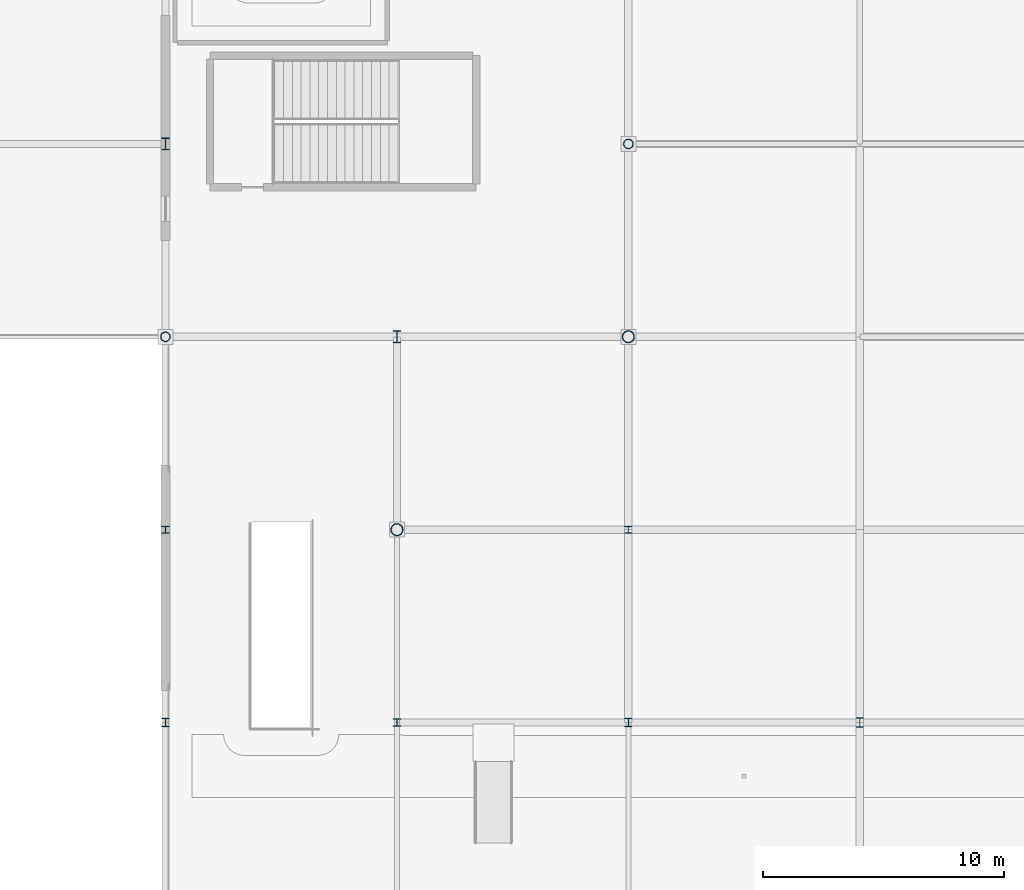
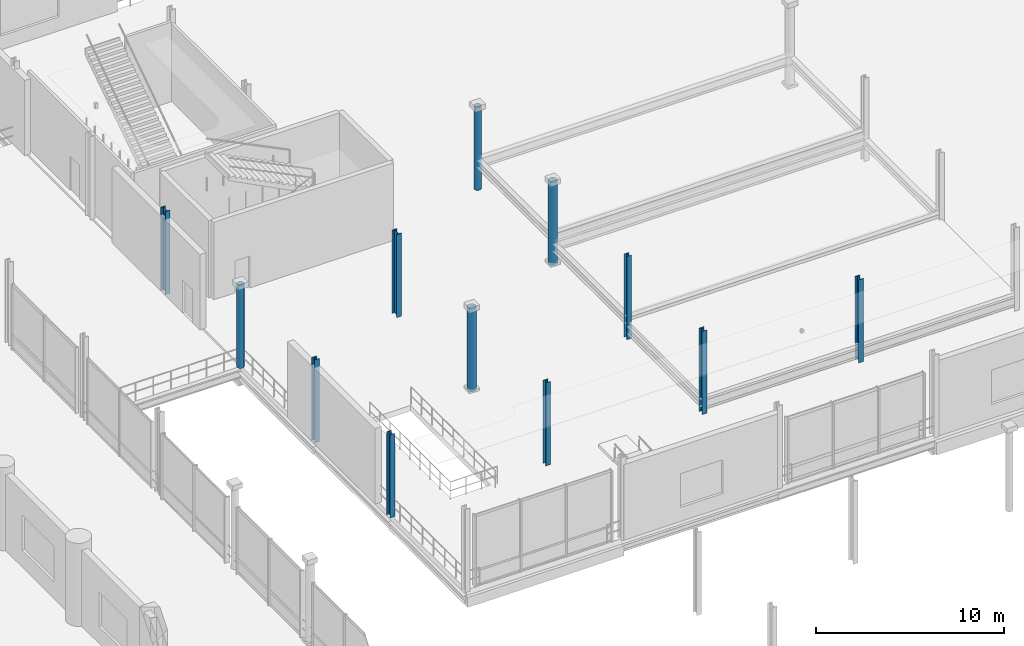
# One storey, part 19 of 129: 12 columns.
"""IFC4 building model written with IfcOpenShell, lengths in metres."""

from ifc_helpers import new_model, si_unit, direction, frame, origin, origin_2d, place, context, subcontext, project, spatial, hollow_circle, i_section, extrude, material, material_profile, profile_set, type_object, element, save


model = new_model("IFC4")

# Units and contexts
model_context = context("Model", 3, precision=1e-05, world=origin(), true_north=direction((0.0, 1.0)))
body_context = subcontext(model_context, "Body", "Model", "MODEL_VIEW")
ifc_project = project(units=[si_unit("LENGTHUNIT", "METRE"), si_unit("AREAUNIT", "SQUARE_METRE"), si_unit("VOLUMEUNIT", "CUBIC_METRE"), si_unit("PLANEANGLEUNIT", "RADIAN"), si_unit("MASSUNIT", "GRAM", prefix="KILO")], contexts=[model_context])

# Site, building, storey
site_placement = place(None, origin())
site = spatial("IfcSite", under=ifc_project, at=site_placement, CompositionType="ELEMENT")
building_placement = place(site_placement, origin())
building = spatial("IfcBuilding", under=site, at=building_placement, Name="Danafjord Basin Convention Centre", CompositionType="ELEMENT")
storey_placement = place(building_placement, frame((0.0, 0.0, 6.0)))
storey = spatial("IfcBuildingStorey", under=building, at=storey_placement, Name="L01", CompositionType="ELEMENT", Elevation=6.0)

# Columns
ifc_material = material(Name="Steel S355", Category="steel")
ifc_material_profile_1 = material_profile(ifc_material, hollow_circle(Radius=0.203125, WallThickness=0.02001953125, at=origin_2d()), Name="CHS 406.4x20.0")
ifc_profile_set_1 = profile_set([ifc_material_profile_1], Name="Steel S355")
column_type_1 = type_object("IfcColumnType", Name="COL-C-CHS406", PredefinedType="COLUMN", material=ifc_profile_set_1)
for number, where, z_axis, x_axis, name in (
    (1, (134.39990234375, 112.0, 0.0), (0.0, 0.0, 1.0), (1.0, 0.0, 0.0), "L01 column C-CHS406 at (134.4, 112.0)"),
    (2, (153.60009765625, 120.0, 0.0), (0.0, 0.0, 1.0), (1.0, 0.0, 0.0), "L01 column C-CHS406 at (153.6, 120.0)"),
):
    element("IfcColumn", number, at=place(storey_placement, frame(where, z_axis=z_axis, x_axis=x_axis)), inside=storey, type_object=column_type_1, Name=name, PredefinedType="COLUMN", context=body_context, shape_type="SweptSolid", body=[
        extrude(hollow_circle(Radius=0.203125, WallThickness=0.02001953125, at=origin_2d()), origin(), (0.0, 0.0, 1.0), 5.39990234375),
    ])
ifc_material_profile_2 = material_profile(ifc_material, hollow_circle(Radius=0.25390625, WallThickness=0.02490234375, at=origin_2d()), Name="CHS 508.0x25.0")
ifc_profile_set_2 = profile_set([ifc_material_profile_2], Name="Steel S355")
column_type_2 = type_object("IfcColumnType", Name="COL-C-CHS508", PredefinedType="COLUMN", material=ifc_profile_set_2)
for number, where, z_axis, x_axis, name in (
    (3, (144.0, 104.0, 0.0), (0.0, 0.0, 1.0), (1.0, 0.0, 0.0), "L01 column C-CHS508 at (144.0, 104.0)"),
    (4, (153.60009765625, 112.0, 0.0), (0.0, 0.0, 1.0), (1.0, 0.0, 0.0), "L01 column C-CHS508 at (153.6, 112.0)"),
):
    element("IfcColumn", number, at=place(storey_placement, frame(where, z_axis=z_axis, x_axis=x_axis)), inside=storey, type_object=column_type_2, Name=name, PredefinedType="COLUMN", context=body_context, shape_type="SweptSolid", body=[
        extrude(hollow_circle(Radius=0.25390625, WallThickness=0.02490234375, at=origin_2d()), origin(), (0.0, 0.0, 1.0), 5.39990234375),
    ])
ifc_material_profile_3 = material_profile(ifc_material, i_section(OverallWidth=0.300048828125, OverallDepth=0.300048828125, WebThickness=0.010986328125, FlangeThickness=0.01904296875, FilletRadius=0.027099609375, at=origin_2d()), Name="HEB 300")
ifc_profile_set_3 = profile_set([ifc_material_profile_3], Name="Steel S355")
column_type_3 = type_object("IfcColumnType", Name="COL-C-HEB300", PredefinedType="COLUMN", material=ifc_profile_set_3)
for number, where, z_axis, x_axis, name in (
    (5, (134.39990234375, 104.0, 0.0), (0.0, 0.0, 1.0), (1.0, 0.0, 0.0), "L01 column C-HEB300 at (134.4, 104.0)"),
    (6, (144.0, 96.0, 0.0), (0.0, 0.0, 1.0), (1.0, 0.0, 0.0), "L01 column C-HEB300 at (144.0, 96.0)"),
    (7, (153.60009765625, 104.0, 0.0), (0.0, 0.0, 1.0), (1.0, 0.0, 0.0), "L01 column C-HEB300 at (153.6, 104.0)"),
):
    element("IfcColumn", number, at=place(storey_placement, frame(where, z_axis=z_axis, x_axis=x_axis)), inside=storey, type_object=column_type_3, Name=name, PredefinedType="COLUMN", context=body_context, shape_type="SweptSolid", body=[
        extrude(i_section(OverallWidth=0.300048828125, OverallDepth=0.300048828125, WebThickness=0.010986328125, FlangeThickness=0.01904296875, FilletRadius=0.027099609375, at=origin_2d()), origin(), (0.0, 0.0, 1.0), 5.39990234375),
    ])
ifc_material_profile_4 = material_profile(ifc_material, i_section(OverallWidth=0.300048828125, OverallDepth=0.360107421875, WebThickness=0.012451171875, FlangeThickness=0.0224609375, FilletRadius=0.027099609375, at=origin_2d()), Name="HEB 360")
ifc_profile_set_4 = profile_set([ifc_material_profile_4], Name="Steel S355")
column_type_4 = type_object("IfcColumnType", Name="COL-C-HEB360", PredefinedType="COLUMN", material=ifc_profile_set_4)
for number, where, z_axis, x_axis, name in (
    (8, (134.39990234375, 96.0, 0.0), (0.0, 0.0, 1.0), (1.0, 0.0, 0.0), "L01 column C-HEB360 at (134.4, 96.0)"),
    (9, (153.60009765625, 96.0, 0.0), (0.0, 0.0, 1.0), (1.0, 0.0, 0.0), "L01 column C-HEB360 at (153.6, 96.0)"),
):
    element("IfcColumn", number, at=place(storey_placement, frame(where, z_axis=z_axis, x_axis=x_axis)), inside=storey, type_object=column_type_4, Name=name, PredefinedType="COLUMN", context=body_context, shape_type="SweptSolid", body=[
        extrude(i_section(OverallWidth=0.300048828125, OverallDepth=0.360107421875, WebThickness=0.012451171875, FlangeThickness=0.0224609375, FilletRadius=0.027099609375, at=origin_2d()), origin(), (0.0, 0.0, 1.0), 5.39990234375),
    ])
ifc_material_profile_5 = material_profile(ifc_material, i_section(OverallWidth=0.300048828125, OverallDepth=0.39990234375, WebThickness=0.013427734375, FlangeThickness=0.02392578125, FilletRadius=0.027099609375, at=origin_2d()), Name="HEB 400")
ifc_profile_set_5 = profile_set([ifc_material_profile_5], Name="Steel S355")
column_type_5 = type_object("IfcColumnType", Name="COL-C-HEB400", PredefinedType="COLUMN", material=ifc_profile_set_5)
column_placement = place(storey_placement, frame((163.199951171875, 96.0, 0.0), z_axis=(0.0, 0.0, 1.0), x_axis=(1.0, 0.0, 0.0)))
element("IfcColumn", 10, at=column_placement, inside=storey, type_object=column_type_5, Name="L01 column C-HEB400 at (163.2, 96.0)", PredefinedType="COLUMN", context=body_context, shape_type="SweptSolid", body=[
    extrude(i_section(OverallWidth=0.300048828125, OverallDepth=0.39990234375, WebThickness=0.013427734375, FlangeThickness=0.02392578125, FilletRadius=0.027099609375, at=origin_2d()), origin(), (0.0, 0.0, 1.0), 5.39990234375),
])
ifc_material_profile_6 = material_profile(ifc_material, i_section(OverallWidth=0.300048828125, OverallDepth=0.5, WebThickness=0.014404296875, FlangeThickness=0.028076171875, FilletRadius=0.027099609375, at=origin_2d()), Name="HEB 500")
ifc_profile_set_6 = profile_set([ifc_material_profile_6], Name="Steel S355")
column_type_6 = type_object("IfcColumnType", Name="COL-C-HEB500", PredefinedType="COLUMN", material=ifc_profile_set_6)
for number, where, z_axis, x_axis, name in (
    (11, (134.39990234375, 120.0, 0.0), (0.0, 0.0, 1.0), (1.0, 0.0, 0.0), "L01 column C-HEB500 at (134.4, 120.0)"),
    (12, (144.0, 112.0, 0.0), (0.0, 0.0, 1.0), (1.0, 0.0, 0.0), "L01 column C-HEB500 at (144.0, 112.0)"),
):
    element("IfcColumn", number, at=place(storey_placement, frame(where, z_axis=z_axis, x_axis=x_axis)), inside=storey, type_object=column_type_6, Name=name, PredefinedType="COLUMN", context=body_context, shape_type="SweptSolid", body=[
        extrude(i_section(OverallWidth=0.300048828125, OverallDepth=0.5, WebThickness=0.014404296875, FlangeThickness=0.028076171875, FilletRadius=0.027099609375, at=origin_2d()), origin(), (0.0, 0.0, 1.0), 5.39990234375),
    ])

save(model, "model.ifc")
